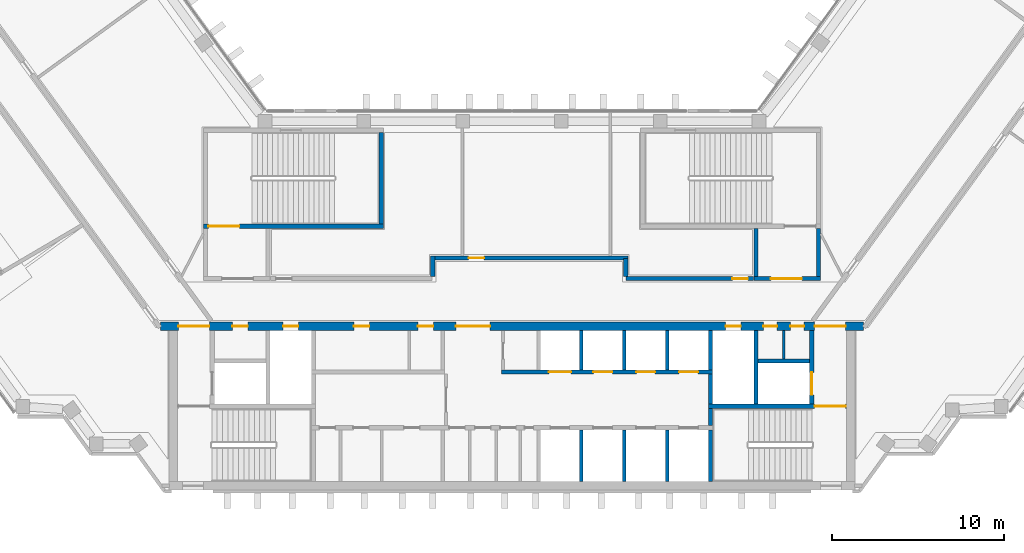
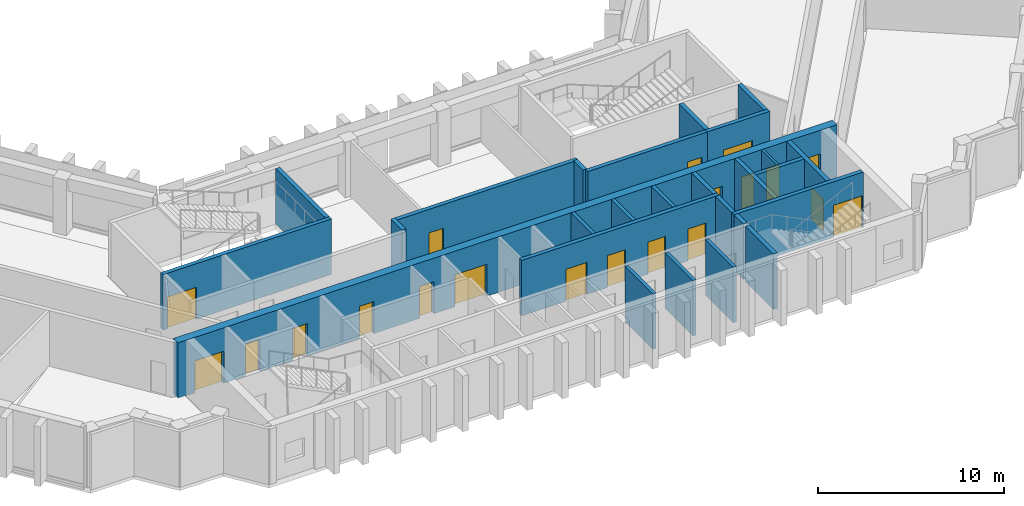
# One storey, part 8 of 13: 26 walls, 20 doors, 20 openings.
"""IFC4 building model written with IfcOpenShell, lengths in metres."""

from ifc_helpers import new_model, si_unit, direction, frame, frame_2d, origin, place, context, subcontext, project, spatial, rectangle, extrude, material, layer, layer_set, type_object, element, fill, save


model = new_model("IFC4")

# Units and contexts
model_context = context("Model", 3, precision=1e-05, world=origin(), true_north=direction((0.0, 1.0)))
body_context = subcontext(model_context, "Body", "Model", "MODEL_VIEW")
ifc_project = project(units=[si_unit("LENGTHUNIT", "METRE"), si_unit("AREAUNIT", "SQUARE_METRE"), si_unit("VOLUMEUNIT", "CUBIC_METRE"), si_unit("PLANEANGLEUNIT", "RADIAN"), si_unit("MASSUNIT", "GRAM", prefix="KILO")], contexts=[model_context])

# Site, building, storey
site_placement = place(None, origin())
site = spatial("IfcSite", under=ifc_project, at=site_placement, CompositionType="ELEMENT")
building_placement = place(site_placement, origin())
building = spatial("IfcBuilding", under=site, at=building_placement, Name="Quipu Civic Tower", CompositionType="ELEMENT")
storey_placement = place(building_placement, frame((0.0, 0.0, 156.0)))
storey = spatial("IfcBuildingStorey", under=building, at=storey_placement, Name="L36", CompositionType="ELEMENT", Elevation=156.0)

# Walls
ifc_material_1 = material(Name="Concrete C70/85", Category="concrete")
ifc_layer_1 = layer(ifc_material_1, 0.25)
ifc_layer_set_1 = layer_set([ifc_layer_1], Name="Concrete C70/85")
wall_type_1 = type_object("IfcWallType", Name="Core wall 250", PredefinedType="SHEAR", material=ifc_layer_set_1)
wall_1_placement = place(storey_placement, frame((11.574951171875, -10.5, 0.0), z_axis=(0.0, 0.0, 1.0), x_axis=(0.0, 1.0, 0.0)))
element("IfcWall", 1, at=wall_1_placement, inside=storey, type_object=wall_type_1, Name="Core wall", PredefinedType="SHEAR", context=body_context, shape_type="SweptSolid", body=[
    extrude(rectangle(XDim=3.0, YDim=0.25, at=frame_2d((1.5, 0.0))), origin(), (0.0, 0.0, 1.0), 3.64990234375),
])
wall_2_placement = place(storey_placement, frame((11.574951171875, -7.25, 0.0), z_axis=(0.0, 0.0, 1.0), x_axis=(0.0, 1.0, 0.0)))
element("IfcWall", 2, at=wall_2_placement, inside=storey, type_object=wall_type_1, Name="Core wall", PredefinedType="SHEAR", context=body_context, shape_type="SweptSolid", body=[
    extrude(rectangle(XDim=1.0, YDim=0.25, at=frame_2d((0.5, 0.0))), origin(), (0.0, 0.0, 1.0), 3.64990234375),
])

# Wall, opening, door
wall_3_placement = place(storey_placement, frame((19.5, -6.125, 0.0), z_axis=(0.0, 0.0, 1.0), x_axis=(-1.0, 0.0, 0.0)))
wall_3 = element("IfcWall", 3, at=wall_3_placement, inside=storey, type_object=wall_type_1, Name="Core wall", PredefinedType="SHEAR", context=body_context, shape_type="SweptSolid", body=[
    extrude(rectangle(XDim=8.050048828125, YDim=0.25, at=frame_2d((4.02490234375, 0.0))), origin(), (0.0, 0.0, 1.0), 3.64990234375),
])
opening_1_placement = place(wall_3_placement, frame((0.050048828125, 0.0, 0.0)))
opening_1 = element("IfcOpeningElement", 4, at=opening_1_placement, cuts=wall_3, Name="Opening CD-09", PredefinedType="OPENING", context=body_context, shape_type="SweptSolid", body=[
    extrude(rectangle(XDim=1.800048828125, YDim=2.10009765625, at=frame_2d((0.89990234375, 1.050048828125))), frame((0.0, 0.135009765625, 0.0), z_axis=(0.0, -1.0, 0.0), x_axis=(1.0, 0.0, 0.0)), (0.0, 0.0, 1.0), 0.27001953125),
])
ifc_material_2 = material(Name="Fire rated steel door", Category="steel")
door_type_1 = type_object("IfcDoorType", Name="Fire door FD90 double 1800 x 2100", OperationType="NOTDEFINED", PredefinedType="DOOR", material=ifc_material_2)
door_1_placement = place(opening_1_placement, origin())
door_1 = element("IfcDoor", 5, at=door_1_placement, inside=storey, type_object=door_type_1, Name="Door", OperationType="DOUBLE_DOOR_SINGLE_SWING", OverallHeight=2.10009765625, OverallWidth=1.800048828125, PredefinedType="DOOR", context=body_context, shape_type="SweptSolid", body=[
    extrude(rectangle(XDim=1.800048828125, YDim=2.10009765625, at=frame_2d((0.89990234375, 1.050048828125))), frame((0.0, 0.02490234375, 0.0), z_axis=(0.0, -1.0, 0.0), x_axis=(1.0, 0.0, 0.0)), (0.0, 0.0, 1.0), 0.050048828125),
])
fill(opening_1, door_1)

# Walls
wall_4_placement = place(storey_placement, frame((11.574951171875, -6.0, 0.0), z_axis=(0.0, 0.0, 1.0), x_axis=(0.0, 1.0, 0.0)))
element("IfcWall", 6, at=wall_4_placement, inside=storey, type_object=wall_type_1, Name="Core wall", PredefinedType="SHEAR", context=body_context, shape_type="SweptSolid", body=[
    extrude(rectangle(XDim=1.75, YDim=0.25, at=frame_2d((0.875, 0.0))), origin(), (0.0, 0.0, 1.0), 3.64990234375),
])
wall_5_placement = place(storey_placement, frame((14.22509765625, -6.0, 0.0), z_axis=(0.0, 0.0, 1.0), x_axis=(0.0, 1.0, 0.0)))
element("IfcWall", 7, at=wall_5_placement, inside=storey, type_object=wall_type_1, Name="Core wall", PredefinedType="SHEAR", context=body_context, shape_type="SweptSolid", body=[
    extrude(rectangle(XDim=4.300048828125, YDim=0.25, at=frame_2d((2.14990234375, 0.0))), origin(), (0.0, 0.0, 1.0), 3.64990234375),
])

# Wall, opening, door
wall_6_placement = place(storey_placement, frame((17.47509765625, -6.0, 0.0), z_axis=(0.0, 0.0, 1.0), x_axis=(0.0, 1.0, 0.0)))
wall_6 = element("IfcWall", 8, at=wall_6_placement, inside=storey, type_object=wall_type_1, Name="Core wall", PredefinedType="SHEAR", context=body_context, shape_type="SweptSolid", body=[
    extrude(rectangle(XDim=4.300048828125, YDim=0.25, at=frame_2d((2.14990234375, 0.0))), origin(), (0.0, 0.0, 1.0), 3.64990234375),
])
opening_2_placement = place(wall_6_placement, frame((0.550048828125, 0.0, 0.0)))
opening_2 = element("IfcOpeningElement", 9, at=opening_2_placement, cuts=wall_6, Name="Opening LD-FF2", PredefinedType="OPENING", context=body_context, shape_type="SweptSolid", body=[
    extrude(rectangle(XDim=1.300048828125, YDim=2.10009765625, at=frame_2d((0.64990234375, 1.050048828125))), frame((0.0, 0.135009765625, 0.0), z_axis=(0.0, -1.0, 0.0), x_axis=(1.0, 0.0, 0.0)), (0.0, 0.0, 1.0), 0.27001953125),
])
ifc_material_3 = material(Name="Stainless steel", Category="steel")
door_type_2 = type_object("IfcDoorType", Name="Lift landing door 1300 x 2100", OperationType="DOUBLE_DOOR_SLIDING", PredefinedType="DOOR", material=ifc_material_3)
door_2_placement = place(opening_2_placement, origin())
door_2 = element("IfcDoor", 10, at=door_2_placement, inside=storey, type_object=door_type_2, Name="Landing door FF2", OperationType="DOUBLE_DOOR_SLIDING", OverallHeight=2.10009765625, OverallWidth=1.300048828125, PredefinedType="DOOR", context=body_context, shape_type="SweptSolid", body=[
    extrude(rectangle(XDim=1.300048828125, YDim=2.10009765625, at=frame_2d((0.64990234375, 1.050048828125))), frame((0.0, 0.02490234375, 0.0), z_axis=(0.0, -1.0, 0.0), x_axis=(1.0, 0.0, 0.0)), (0.0, 0.0, 1.0), 0.050048828125),
])
fill(opening_2, door_2)

# Wall, openings, doors
wall_7_placement = place(storey_placement, frame((-0.60009765625, -4.125, 0.0), z_axis=(0.0, 0.0, 1.0), x_axis=(1.0, 0.0, 0.0)))
wall_7 = element("IfcWall", 11, at=wall_7_placement, inside=storey, type_object=wall_type_1, Name="Core wall", PredefinedType="SHEAR", context=body_context, shape_type="SweptSolid", body=[
    extrude(rectangle(XDim=12.300048828125, YDim=0.25, at=frame_2d((6.14990234375, 0.0))), origin(), (0.0, 0.0, 1.0), 3.64990234375),
])
opening_3_placement = place(wall_7_placement, frame((2.75, 0.0, 0.0)))
opening_3 = element("IfcOpeningElement", 12, at=opening_3_placement, cuts=wall_7, Name="Opening LD-FF3", PredefinedType="OPENING", context=body_context, shape_type="SweptSolid", body=[
    extrude(rectangle(XDim=1.300048828125, YDim=2.10009765625, at=frame_2d((0.64990234375, 1.050048828125))), frame((0.0, 0.135009765625, 0.0), z_axis=(0.0, -1.0, 0.0), x_axis=(1.0, 0.0, 0.0)), (0.0, 0.0, 1.0), 0.27001953125),
])
opening_4_placement = place(wall_7_placement, frame((5.35009765625, 0.0, 0.0)))
opening_4 = element("IfcOpeningElement", 13, at=opening_4_placement, cuts=wall_7, Name="Opening LD-ML5", PredefinedType="OPENING", context=body_context, shape_type="SweptSolid", body=[
    extrude(rectangle(XDim=1.10009765625, YDim=2.10009765625, at=frame_2d((0.550048828125, 1.050048828125))), frame((0.0, 0.135009765625, 0.0), z_axis=(0.0, -1.0, 0.0), x_axis=(1.0, 0.0, 0.0)), (0.0, 0.0, 1.0), 0.27001953125),
])
opening_5_placement = place(wall_7_placement, frame((7.85009765625, 0.0, 0.0)))
opening_5 = element("IfcOpeningElement", 14, at=opening_5_placement, cuts=wall_7, Name="Opening LD-ML6", PredefinedType="OPENING", context=body_context, shape_type="SweptSolid", body=[
    extrude(rectangle(XDim=1.10009765625, YDim=2.10009765625, at=frame_2d((0.550048828125, 1.050048828125))), frame((0.0, 0.135009765625, 0.0), z_axis=(0.0, -1.0, 0.0), x_axis=(1.0, 0.0, 0.0)), (0.0, 0.0, 1.0), 0.27001953125),
])
opening_6_placement = place(wall_7_placement, frame((10.35009765625, 0.0, 0.0)))
opening_6 = element("IfcOpeningElement", 15, at=opening_6_placement, cuts=wall_7, Name="Opening LD-ML7", PredefinedType="OPENING", context=body_context, shape_type="SweptSolid", body=[
    extrude(rectangle(XDim=1.10009765625, YDim=2.10009765625, at=frame_2d((0.550048828125, 1.050048828125))), frame((0.0, 0.135009765625, 0.0), z_axis=(0.0, -1.0, 0.0), x_axis=(1.0, 0.0, 0.0)), (0.0, 0.0, 1.0), 0.27001953125),
])
ifc_material_4 = material(Name="Stainless steel", Category="steel")
door_type_3 = type_object("IfcDoorType", Name="Lift landing door 1100 x 2100", OperationType="DOUBLE_DOOR_SLIDING", PredefinedType="DOOR", material=ifc_material_4)
door_3_placement = place(opening_4_placement, origin())
door_3 = element("IfcDoor", 16, at=door_3_placement, inside=storey, type_object=door_type_3, Name="Landing door ML5", OperationType="DOUBLE_DOOR_SLIDING", OverallHeight=2.10009765625, OverallWidth=1.10009765625, PredefinedType="DOOR", context=body_context, shape_type="SweptSolid", body=[
    extrude(rectangle(XDim=1.10009765625, YDim=2.10009765625, at=frame_2d((0.550048828125, 1.050048828125))), frame((0.0, 0.02490234375, 0.0), z_axis=(0.0, -1.0, 0.0), x_axis=(1.0, 0.0, 0.0)), (0.0, 0.0, 1.0), 0.050048828125),
])
fill(opening_4, door_3)
door_4_placement = place(opening_5_placement, origin())
door_4 = element("IfcDoor", 17, at=door_4_placement, inside=storey, type_object=door_type_3, Name="Landing door ML6", OperationType="DOUBLE_DOOR_SLIDING", OverallHeight=2.10009765625, OverallWidth=1.10009765625, PredefinedType="DOOR", context=body_context, shape_type="SweptSolid", body=[
    extrude(rectangle(XDim=1.10009765625, YDim=2.10009765625, at=frame_2d((0.550048828125, 1.050048828125))), frame((0.0, 0.02490234375, 0.0), z_axis=(0.0, -1.0, 0.0), x_axis=(1.0, 0.0, 0.0)), (0.0, 0.0, 1.0), 0.050048828125),
])
fill(opening_5, door_4)
door_5_placement = place(opening_6_placement, origin())
door_5 = element("IfcDoor", 18, at=door_5_placement, inside=storey, type_object=door_type_3, Name="Landing door ML7", OperationType="DOUBLE_DOOR_SLIDING", OverallHeight=2.10009765625, OverallWidth=1.10009765625, PredefinedType="DOOR", context=body_context, shape_type="SweptSolid", body=[
    extrude(rectangle(XDim=1.10009765625, YDim=2.10009765625, at=frame_2d((0.550048828125, 1.050048828125))), frame((0.0, 0.02490234375, 0.0), z_axis=(0.0, -1.0, 0.0), x_axis=(1.0, 0.0, 0.0)), (0.0, 0.0, 1.0), 0.050048828125),
])
fill(opening_6, door_5)
door_6_placement = place(opening_3_placement, origin())
door_6 = element("IfcDoor", 19, at=door_6_placement, inside=storey, type_object=door_type_2, Name="Landing door FF3", OperationType="DOUBLE_DOOR_SLIDING", OverallHeight=2.10009765625, OverallWidth=1.300048828125, PredefinedType="DOOR", context=body_context, shape_type="SweptSolid", body=[
    extrude(rectangle(XDim=1.300048828125, YDim=2.10009765625, at=frame_2d((0.64990234375, 1.050048828125))), frame((0.0, 0.02490234375, 0.0), z_axis=(0.0, -1.0, 0.0), x_axis=(1.0, 0.0, 0.0)), (0.0, 0.0, 1.0), 0.050048828125),
])
fill(opening_3, door_6)

# Walls
wall_8_placement = place(storey_placement, frame((11.574951171875, -4.0, 0.0), z_axis=(0.0, 0.0, 1.0), x_axis=(0.0, 1.0, 0.0)))
element("IfcWall", 20, at=wall_8_placement, inside=storey, type_object=wall_type_1, Name="Core wall", PredefinedType="SHEAR", context=body_context, shape_type="SweptSolid", body=[
    extrude(rectangle(XDim=2.300048828125, YDim=0.25, at=frame_2d((1.14990234375, 0.0))), origin(), (0.0, 0.0, 1.0), 3.64990234375),
])
wall_9_placement = place(storey_placement, frame((14.35009765625, -3.47509765625, 0.0), z_axis=(0.0, 0.0, 1.0), x_axis=(1.0, 0.0, 0.0)))
element("IfcWall", 21, at=wall_9_placement, inside=storey, type_object=wall_type_1, Name="Core wall", PredefinedType="SHEAR", context=body_context, shape_type="SweptSolid", body=[
    extrude(rectangle(XDim=3.0, YDim=0.25, at=frame_2d((1.5, 0.0))), origin(), (0.0, 0.0, 1.0), 3.64990234375),
])

# Wall, opening, door
wall_10_placement = place(storey_placement, frame((-18.0, 4.375, 0.0), z_axis=(0.0, 0.0, 1.0), x_axis=(1.0, 0.0, 0.0)))
wall_10 = element("IfcWall", 22, at=wall_10_placement, inside=storey, type_object=wall_type_1, Name="Core wall", PredefinedType="SHEAR", context=body_context, shape_type="SweptSolid", body=[
    extrude(rectangle(XDim=10.5, YDim=0.25, at=frame_2d((5.25, 0.0))), origin(), (0.0, 0.0, 1.0), 3.64990234375),
])
opening_7_placement = place(wall_10_placement, frame((0.300048828125, 0.0, 0.0)))
opening_7 = element("IfcOpeningElement", 23, at=opening_7_placement, cuts=wall_10, Name="Opening CD-23", PredefinedType="OPENING", context=body_context, shape_type="SweptSolid", body=[
    extrude(rectangle(XDim=1.800048828125, YDim=2.10009765625, at=frame_2d((0.89990234375, 1.050048828125))), frame((0.0, 0.135009765625, 0.0), z_axis=(0.0, -1.0, 0.0), x_axis=(1.0, 0.0, 0.0)), (0.0, 0.0, 1.0), 0.27001953125),
])
door_7_placement = place(opening_7_placement, origin())
door_7 = element("IfcDoor", 24, at=door_7_placement, inside=storey, type_object=door_type_1, Name="Door", OperationType="DOUBLE_DOOR_SINGLE_SWING", OverallHeight=2.10009765625, OverallWidth=1.800048828125, PredefinedType="DOOR", context=body_context, shape_type="SweptSolid", body=[
    extrude(rectangle(XDim=1.800048828125, YDim=2.10009765625, at=frame_2d((0.89990234375, 1.050048828125))), frame((0.0, 0.02490234375, 0.0), z_axis=(0.0, -1.0, 0.0), x_axis=(1.0, 0.0, 0.0)), (0.0, 0.0, 1.0), 0.050048828125),
])
fill(opening_7, door_7)

# Wall
wall_11_placement = place(storey_placement, frame((-7.625, 4.5, 0.0), z_axis=(0.0, 0.0, 1.0), x_axis=(0.0, 1.0, 0.0)))
element("IfcWall", 25, at=wall_11_placement, inside=storey, type_object=wall_type_1, Name="Core wall", PredefinedType="SHEAR", context=body_context, shape_type="SweptSolid", body=[
    extrude(rectangle(XDim=5.35009765625, YDim=0.25, at=frame_2d((2.675048828125, 0.0))), origin(), (0.0, 0.0, 1.0), 3.64990234375),
])

# Wall, opening, door
wall_12_placement = place(storey_placement, frame((14.10009765625, 1.324951171875, 0.0), z_axis=(0.0, 0.0, 1.0), x_axis=(1.0, 0.0, 0.0)))
wall_12 = element("IfcWall", 26, at=wall_12_placement, inside=storey, type_object=wall_type_1, Name="Core wall", PredefinedType="SHEAR", context=body_context, shape_type="SweptSolid", body=[
    extrude(rectangle(XDim=3.89990234375, YDim=0.25, at=frame_2d((1.949951171875, 0.0))), origin(), (0.0, 0.0, 1.0), 3.64990234375),
])
opening_8_placement = place(wall_12_placement, frame((1.0, 0.0, 0.0)))
opening_8 = element("IfcOpeningElement", 27, at=opening_8_placement, cuts=wall_12, Name="Opening CD-24", PredefinedType="OPENING", context=body_context, shape_type="SweptSolid", body=[
    extrude(rectangle(XDim=1.800048828125, YDim=2.10009765625, at=frame_2d((0.89990234375, 1.050048828125))), frame((0.0, 0.135009765625, 0.0), z_axis=(0.0, -1.0, 0.0), x_axis=(1.0, 0.0, 0.0)), (0.0, 0.0, 1.0), 0.27001953125),
])
door_8_placement = place(opening_8_placement, origin())
door_8 = element("IfcDoor", 28, at=door_8_placement, inside=storey, type_object=door_type_1, Name="Lobby door", OperationType="DOUBLE_DOOR_SINGLE_SWING", OverallHeight=2.10009765625, OverallWidth=1.800048828125, PredefinedType="DOOR", context=body_context, shape_type="SweptSolid", body=[
    extrude(rectangle(XDim=1.800048828125, YDim=2.10009765625, at=frame_2d((0.89990234375, 1.050048828125))), frame((0.0, 0.02490234375, 0.0), z_axis=(0.0, -1.0, 0.0), x_axis=(1.0, 0.0, 0.0)), (0.0, 0.0, 1.0), 0.050048828125),
])
fill(opening_8, door_8)

# Walls
for number, where, z_axis, x_axis, name in (
    (29, (14.22509765625, 1.449951171875, 0.0), (0.0, 0.0, 1.0), (0.0, 1.0, 0.0), "Core wall"),
    (30, (17.875, 1.449951171875, 0.0), (0.0, 0.0, 1.0), (0.0, 1.0, 0.0), "Core wall"),
):
    element("IfcWall", number, at=place(storey_placement, frame(where, z_axis=z_axis, x_axis=x_axis)), inside=storey, type_object=wall_type_1, Name=name, PredefinedType="SHEAR", context=body_context, shape_type="SweptSolid", body=[
        extrude(rectangle(XDim=2.800048828125, YDim=0.25, at=frame_2d((1.39990234375, 0.0))), origin(), (0.0, 0.0, 1.0), 3.64990234375),
    ])

# Wall, openings, doors
ifc_material_5 = material(Name="Concrete C70/85", Category="concrete")
ifc_layer_2 = layer(ifc_material_5, 0.5)
ifc_layer_set_2 = layer_set([ifc_layer_2], Name="Concrete C70/85")
wall_type_2 = type_object("IfcWallType", Name="Core wall 500", PredefinedType="SHEAR", material=ifc_layer_set_2)
wall_13_placement = place(storey_placement, frame((20.489990234375, -1.449951171875, 0.0), z_axis=(0.0, 0.0, 1.0), x_axis=(-1.0, 0.0, 0.0)))
wall_13 = element("IfcWall", 31, at=wall_13_placement, inside=storey, type_object=wall_type_2, Name="Core wall", PredefinedType="SHEAR", context=body_context, shape_type="SweptSolid", body=[
    extrude(rectangle(XDim=40.97998046875, YDim=0.5, at=frame_2d((20.489990234375, 0.0))), origin(), (0.0, 0.0, 1.0), 3.64990234375),
])
opening_9_placement = place(wall_13_placement, frame((38.139892578125, 0.0, 0.0)))
opening_9 = element("IfcOpeningElement", 32, at=opening_9_placement, cuts=wall_13, Name="Opening CD-12", PredefinedType="OPENING", context=body_context, shape_type="SweptSolid", body=[
    extrude(rectangle(XDim=1.800048828125, YDim=2.10009765625, at=frame_2d((0.89990234375, 1.050048828125))), frame((0.0, 0.260009765625, 0.0), z_axis=(0.0, -1.0, 0.0), x_axis=(1.0, 0.0, 0.0)), (0.0, 0.0, 1.0), 0.52001953125),
])
opening_10_placement = place(wall_13_placement, frame((35.889892578125, 0.0, 0.0)))
opening_10 = element("IfcOpeningElement", 33, at=opening_10_placement, cuts=wall_13, Name="Opening CD-13", PredefinedType="OPENING", context=body_context, shape_type="SweptSolid", body=[
    extrude(rectangle(XDim=0.89990234375, YDim=2.10009765625, at=frame_2d((0.449951171875, 1.050048828125))), frame((0.0, 0.260009765625, 0.0), z_axis=(0.0, -1.0, 0.0), x_axis=(1.0, 0.0, 0.0)), (0.0, 0.0, 1.0), 0.52001953125),
])
opening_11_placement = place(wall_13_placement, frame((32.93994140625, 0.0, 0.0)))
opening_11 = element("IfcOpeningElement", 34, at=opening_11_placement, cuts=wall_13, Name="Opening CD-14", PredefinedType="OPENING", context=body_context, shape_type="SweptSolid", body=[
    extrude(rectangle(XDim=0.89990234375, YDim=2.10009765625, at=frame_2d((0.449951171875, 1.050048828125))), frame((0.0, 0.260009765625, 0.0), z_axis=(0.0, -1.0, 0.0), x_axis=(1.0, 0.0, 0.0)), (0.0, 0.0, 1.0), 0.52001953125),
])
opening_12_placement = place(wall_13_placement, frame((28.802490234375, 0.0, 0.0)))
opening_12 = element("IfcOpeningElement", 35, at=opening_12_placement, cuts=wall_13, Name="Opening CD-15", PredefinedType="OPENING", context=body_context, shape_type="SweptSolid", body=[
    extrude(rectangle(XDim=0.89990234375, YDim=2.10009765625, at=frame_2d((0.449951171875, 1.050048828125))), frame((0.0, 0.260009765625, 0.0), z_axis=(0.0, -1.0, 0.0), x_axis=(1.0, 0.0, 0.0)), (0.0, 0.0, 1.0), 0.52001953125),
])
opening_13_placement = place(wall_13_placement, frame((25.077392578125, 0.0, 0.0)))
opening_13 = element("IfcOpeningElement", 36, at=opening_13_placement, cuts=wall_13, Name="Opening CD-16", PredefinedType="OPENING", context=body_context, shape_type="SweptSolid", body=[
    extrude(rectangle(XDim=0.89990234375, YDim=2.10009765625, at=frame_2d((0.449951171875, 1.050048828125))), frame((0.0, 0.260009765625, 0.0), z_axis=(0.0, -1.0, 0.0), x_axis=(1.0, 0.0, 0.0)), (0.0, 0.0, 1.0), 0.52001953125),
])
opening_14_placement = place(wall_13_placement, frame((21.764892578125, 0.0, 0.0)))
opening_14 = element("IfcOpeningElement", 37, at=opening_14_placement, cuts=wall_13, Name="Opening CD-17", PredefinedType="OPENING", context=body_context, shape_type="SweptSolid", body=[
    extrude(rectangle(XDim=2.0, YDim=2.10009765625, at=frame_2d((1.0, 1.050048828125))), frame((0.0, 0.260009765625, 0.0), z_axis=(0.0, -1.0, 0.0), x_axis=(1.0, 0.0, 0.0)), (0.0, 0.0, 1.0), 0.52001953125),
])
opening_15_placement = place(wall_13_placement, frame((7.139892578125, 0.0, 0.0)))
opening_15 = element("IfcOpeningElement", 38, at=opening_15_placement, cuts=wall_13, Name="Opening CD-18", PredefinedType="OPENING", context=body_context, shape_type="SweptSolid", body=[
    extrude(rectangle(XDim=0.89990234375, YDim=2.10009765625, at=frame_2d((0.449951171875, 1.050048828125))), frame((0.0, 0.260009765625, 0.0), z_axis=(0.0, -1.0, 0.0), x_axis=(1.0, 0.0, 0.0)), (0.0, 0.0, 1.0), 0.52001953125),
])
opening_16_placement = place(wall_13_placement, frame((5.027587890625, 0.0, 0.0)))
opening_16 = element("IfcOpeningElement", 39, at=opening_16_placement, cuts=wall_13, Name="Opening CD-19", PredefinedType="OPENING", context=body_context, shape_type="SweptSolid", body=[
    extrude(rectangle(XDim=0.800048828125, YDim=2.10009765625, at=frame_2d((0.39990234375, 1.050048828125))), frame((0.0, 0.260009765625, 0.0), z_axis=(0.0, -1.0, 0.0), x_axis=(1.0, 0.0, 0.0)), (0.0, 0.0, 1.0), 0.52001953125),
])
opening_17_placement = place(wall_13_placement, frame((3.452392578125, 0.0, 0.0)))
opening_17 = element("IfcOpeningElement", 40, at=opening_17_placement, cuts=wall_13, Name="Opening CD-20", PredefinedType="OPENING", context=body_context, shape_type="SweptSolid", body=[
    extrude(rectangle(XDim=0.800048828125, YDim=2.10009765625, at=frame_2d((0.39990234375, 1.050048828125))), frame((0.0, 0.260009765625, 0.0), z_axis=(0.0, -1.0, 0.0), x_axis=(1.0, 0.0, 0.0)), (0.0, 0.0, 1.0), 0.52001953125),
])
opening_18_placement = place(wall_13_placement, frame((1.0400390625, 0.0, 0.0)))
opening_18 = element("IfcOpeningElement", 41, at=opening_18_placement, cuts=wall_13, Name="Opening CD-21", PredefinedType="OPENING", context=body_context, shape_type="SweptSolid", body=[
    extrude(rectangle(XDim=1.800048828125, YDim=2.10009765625, at=frame_2d((0.89990234375, 1.050048828125))), frame((0.0, 0.260009765625, 0.0), z_axis=(0.0, -1.0, 0.0), x_axis=(1.0, 0.0, 0.0)), (0.0, 0.0, 1.0), 0.52001953125),
])
ifc_material_6 = material(Name="Fire rated steel door", Category="steel")
door_type_4 = type_object("IfcDoorType", Name="Fire door FD60 800 x 2100", OperationType="NOTDEFINED", PredefinedType="DOOR", material=ifc_material_6)
door_9_placement = place(opening_16_placement, origin())
door_9 = element("IfcDoor", 42, at=door_9_placement, inside=storey, type_object=door_type_4, Name="Door", OperationType="SINGLE_SWING_LEFT", OverallHeight=2.10009765625, OverallWidth=0.800048828125, PredefinedType="DOOR", context=body_context, shape_type="SweptSolid", body=[
    extrude(rectangle(XDim=0.800048828125, YDim=2.10009765625, at=frame_2d((0.39990234375, 1.050048828125))), frame((0.0, 0.02490234375, 0.0), z_axis=(0.0, -1.0, 0.0), x_axis=(1.0, 0.0, 0.0)), (0.0, 0.0, 1.0), 0.050048828125),
])
fill(opening_16, door_9)
door_10_placement = place(opening_17_placement, origin())
door_10 = element("IfcDoor", 43, at=door_10_placement, inside=storey, type_object=door_type_4, Name="Door", OperationType="SINGLE_SWING_LEFT", OverallHeight=2.10009765625, OverallWidth=0.800048828125, PredefinedType="DOOR", context=body_context, shape_type="SweptSolid", body=[
    extrude(rectangle(XDim=0.800048828125, YDim=2.10009765625, at=frame_2d((0.39990234375, 1.050048828125))), frame((0.0, 0.02490234375, 0.0), z_axis=(0.0, -1.0, 0.0), x_axis=(1.0, 0.0, 0.0)), (0.0, 0.0, 1.0), 0.050048828125),
])
fill(opening_17, door_10)
ifc_material_7 = material(Name="Fire rated steel door", Category="steel")
door_type_5 = type_object("IfcDoorType", Name="Fire door FD60 900 x 2100", OperationType="NOTDEFINED", PredefinedType="DOOR", material=ifc_material_7)
door_11_placement = place(opening_10_placement, origin())
door_11 = element("IfcDoor", 44, at=door_11_placement, inside=storey, type_object=door_type_5, Name="Door", OperationType="SINGLE_SWING_RIGHT", OverallHeight=2.10009765625, OverallWidth=0.89990234375, PredefinedType="DOOR", context=body_context, shape_type="SweptSolid", body=[
    extrude(rectangle(XDim=0.89990234375, YDim=2.10009765625, at=frame_2d((0.449951171875, 1.050048828125))), frame((0.0, 0.02490234375, 0.0), z_axis=(0.0, -1.0, 0.0), x_axis=(1.0, 0.0, 0.0)), (0.0, 0.0, 1.0), 0.050048828125),
])
fill(opening_10, door_11)
door_12_placement = place(opening_11_placement, origin())
door_12 = element("IfcDoor", 45, at=door_12_placement, inside=storey, type_object=door_type_5, Name="Riser door", OperationType="SINGLE_SWING_RIGHT", OverallHeight=2.10009765625, OverallWidth=0.89990234375, PredefinedType="DOOR", context=body_context, shape_type="SweptSolid", body=[
    extrude(rectangle(XDim=0.89990234375, YDim=2.10009765625, at=frame_2d((0.449951171875, 1.050048828125))), frame((0.0, 0.02490234375, 0.0), z_axis=(0.0, -1.0, 0.0), x_axis=(1.0, 0.0, 0.0)), (0.0, 0.0, 1.0), 0.050048828125),
])
fill(opening_11, door_12)
door_13_placement = place(opening_12_placement, origin())
door_13 = element("IfcDoor", 46, at=door_13_placement, inside=storey, type_object=door_type_5, Name="Door", OperationType="SINGLE_SWING_RIGHT", OverallHeight=2.10009765625, OverallWidth=0.89990234375, PredefinedType="DOOR", context=body_context, shape_type="SweptSolid", body=[
    extrude(rectangle(XDim=0.89990234375, YDim=2.10009765625, at=frame_2d((0.449951171875, 1.050048828125))), frame((0.0, 0.02490234375, 0.0), z_axis=(0.0, -1.0, 0.0), x_axis=(1.0, 0.0, 0.0)), (0.0, 0.0, 1.0), 0.050048828125),
])
fill(opening_12, door_13)
door_14_placement = place(opening_13_placement, origin())
door_14 = element("IfcDoor", 47, at=door_14_placement, inside=storey, type_object=door_type_5, Name="Door", OperationType="SINGLE_SWING_RIGHT", OverallHeight=2.10009765625, OverallWidth=0.89990234375, PredefinedType="DOOR", context=body_context, shape_type="SweptSolid", body=[
    extrude(rectangle(XDim=0.89990234375, YDim=2.10009765625, at=frame_2d((0.449951171875, 1.050048828125))), frame((0.0, 0.02490234375, 0.0), z_axis=(0.0, -1.0, 0.0), x_axis=(1.0, 0.0, 0.0)), (0.0, 0.0, 1.0), 0.050048828125),
])
fill(opening_13, door_14)
door_15_placement = place(opening_15_placement, origin())
door_15 = element("IfcDoor", 48, at=door_15_placement, inside=storey, type_object=door_type_5, Name="Riser door", OperationType="SINGLE_SWING_LEFT", OverallHeight=2.10009765625, OverallWidth=0.89990234375, PredefinedType="DOOR", context=body_context, shape_type="SweptSolid", body=[
    extrude(rectangle(XDim=0.89990234375, YDim=2.10009765625, at=frame_2d((0.449951171875, 1.050048828125))), frame((0.0, 0.02490234375, 0.0), z_axis=(0.0, -1.0, 0.0), x_axis=(1.0, 0.0, 0.0)), (0.0, 0.0, 1.0), 0.050048828125),
])
fill(opening_15, door_15)
door_16_placement = place(opening_9_placement, origin())
door_16 = element("IfcDoor", 49, at=door_16_placement, inside=storey, type_object=door_type_1, Name="Lobby door", OperationType="DOUBLE_DOOR_SINGLE_SWING", OverallHeight=2.10009765625, OverallWidth=1.800048828125, PredefinedType="DOOR", context=body_context, shape_type="SweptSolid", body=[
    extrude(rectangle(XDim=1.800048828125, YDim=2.10009765625, at=frame_2d((0.89990234375, 1.050048828125))), frame((0.0, 0.02490234375, 0.0), z_axis=(0.0, -1.0, 0.0), x_axis=(1.0, 0.0, 0.0)), (0.0, 0.0, 1.0), 0.050048828125),
])
fill(opening_9, door_16)
door_17_placement = place(opening_18_placement, origin())
door_17 = element("IfcDoor", 50, at=door_17_placement, inside=storey, type_object=door_type_1, Name="Lobby door", OperationType="DOUBLE_DOOR_SINGLE_SWING", OverallHeight=2.10009765625, OverallWidth=1.800048828125, PredefinedType="DOOR", context=body_context, shape_type="SweptSolid", body=[
    extrude(rectangle(XDim=1.800048828125, YDim=2.10009765625, at=frame_2d((0.89990234375, 1.050048828125))), frame((0.0, 0.02490234375, 0.0), z_axis=(0.0, -1.0, 0.0), x_axis=(1.0, 0.0, 0.0)), (0.0, 0.0, 1.0), 0.050048828125),
])
fill(opening_18, door_17)
ifc_material_8 = material(Name="Fire rated steel door", Category="steel")
door_type_6 = type_object("IfcDoorType", Name="Fire door FD90 double 2000 x 2100", OperationType="NOTDEFINED", PredefinedType="DOOR", material=ifc_material_8)
door_18_placement = place(opening_14_placement, origin())
door_18 = element("IfcDoor", 51, at=door_18_placement, inside=storey, type_object=door_type_6, Name="Lobby door", OperationType="DOUBLE_DOOR_SINGLE_SWING", OverallHeight=2.10009765625, OverallWidth=2.0, PredefinedType="DOOR", context=body_context, shape_type="SweptSolid", body=[
    extrude(rectangle(XDim=2.0, YDim=2.10009765625, at=frame_2d((1.0, 1.050048828125))), frame((0.0, 0.02490234375, 0.0), z_axis=(0.0, -1.0, 0.0), x_axis=(1.0, 0.0, 0.0)), (0.0, 0.0, 1.0), 0.050048828125),
])
fill(opening_14, door_18)

# Wall, opening, door
ifc_material_9 = material(Name="Concrete C50/60", Category="concrete")
ifc_layer_3 = layer(ifc_material_9, 0.25)
ifc_layer_set_3 = layer_set([ifc_layer_3], Name="Concrete C50/60")
wall_type_3 = type_object("IfcWallType", Name="Corridor wall 250 concrete", PredefinedType="SOLIDWALL", material=ifc_layer_set_3)
wall_14_placement = place(storey_placement, frame((6.65869140625, 1.324951171875, 0.0), z_axis=(0.0, 0.0, 1.0), x_axis=(1.0, 0.0, 0.0)))
wall_14 = element("IfcWall", 52, at=wall_14_placement, inside=storey, type_object=wall_type_3, Name="Corridor wall C01", PredefinedType="SOLIDWALL", context=body_context, shape_type="SweptSolid", body=[
    extrude(rectangle(XDim=7.431396484375, YDim=0.25, at=frame_2d((3.7158203125, 0.0))), origin(), (0.0, 0.0, 1.0), 3.64990234375),
])
opening_19_placement = place(wall_14_placement, frame((6.19140625, 0.0, 0.0)))
opening_19 = element("IfcOpeningElement", 53, at=opening_19_placement, cuts=wall_14, Name="Opening D009", PredefinedType="OPENING", context=body_context, shape_type="SweptSolid", body=[
    extrude(rectangle(XDim=0.89990234375, YDim=2.10009765625, at=frame_2d((0.449951171875, 1.050048828125))), frame((0.0, 0.135009765625, 0.0), z_axis=(0.0, -1.0, 0.0), x_axis=(1.0, 0.0, 0.0)), (0.0, 0.0, 1.0), 0.27001953125),
])
ifc_material_10 = material(Name="Fire rated timber door set with metal frame", Category="wood")
door_type_7 = type_object("IfcDoorType", Name="Single door 900 x 2100 FD60", OperationType="NOTDEFINED", PredefinedType="DOOR", material=ifc_material_10)
door_19_placement = place(opening_19_placement, origin())
door_19 = element("IfcDoor", 54, at=door_19_placement, inside=storey, type_object=door_type_7, Name="Door D009", OperationType="SINGLE_SWING_RIGHT", OverallHeight=2.10009765625, OverallWidth=0.89990234375, PredefinedType="DOOR", context=body_context, shape_type="SweptSolid", body=[
    extrude(rectangle(XDim=0.89990234375, YDim=2.10009765625, at=frame_2d((0.449951171875, 1.050048828125))), frame((0.0, 0.02490234375, 0.0), z_axis=(0.0, -1.0, 0.0), x_axis=(1.0, 0.0, 0.0)), (0.0, 0.0, 1.0), 0.050048828125),
])
fill(opening_19, door_19)

# Wall
wall_15_placement = place(storey_placement, frame((-4.625, 1.45361328125, 0.0), z_axis=(0.0, 0.0, 1.0), x_axis=(0.0, 1.0, 0.0)))
element("IfcWall", 55, at=wall_15_placement, inside=storey, type_object=wall_type_3, Name="Corridor wall C08", PredefinedType="SOLIDWALL", context=body_context, shape_type="SweptSolid", body=[
    extrude(rectangle(XDim=1.1962890625, YDim=0.25, at=frame_2d((0.59814453125, 0.0))), origin(), (0.0, 0.0, 1.0), 3.64990234375),
])

# Wall, opening, door
wall_16_placement = place(storey_placement, frame((-4.5, 2.52490234375, 0.0), z_axis=(0.0, 0.0, 1.0), x_axis=(1.0, 0.0, 0.0)))
wall_16 = element("IfcWall", 56, at=wall_16_placement, inside=storey, type_object=wall_type_3, Name="Corridor wall C09", PredefinedType="SOLIDWALL", context=body_context, shape_type="SweptSolid", body=[
    extrude(rectangle(XDim=11.25, YDim=0.25, at=frame_2d((5.625, 0.0))), origin(), (0.0, 0.0, 1.0), 3.64990234375),
])
opening_20_placement = place(wall_16_placement, frame((1.970947265625, 0.0, 0.0)))
opening_20 = element("IfcOpeningElement", 57, at=opening_20_placement, cuts=wall_16, Name="Opening D008", PredefinedType="OPENING", context=body_context, shape_type="SweptSolid", body=[
    extrude(rectangle(XDim=0.89990234375, YDim=2.10009765625, at=frame_2d((0.449951171875, 1.050048828125))), frame((0.0, 0.135009765625, 0.0), z_axis=(0.0, -1.0, 0.0), x_axis=(1.0, 0.0, 0.0)), (0.0, 0.0, 1.0), 0.27001953125),
])
door_20_placement = place(opening_20_placement, origin())
door_20 = element("IfcDoor", 58, at=door_20_placement, inside=storey, type_object=door_type_7, Name="Door D008", OperationType="SINGLE_SWING_LEFT", OverallHeight=2.10009765625, OverallWidth=0.89990234375, PredefinedType="DOOR", context=body_context, shape_type="SweptSolid", body=[
    extrude(rectangle(XDim=0.89990234375, YDim=2.10009765625, at=frame_2d((0.449951171875, 1.050048828125))), frame((0.0, 0.02490234375, 0.0), z_axis=(0.0, -1.0, 0.0), x_axis=(1.0, 0.0, 0.0)), (0.0, 0.0, 1.0), 0.050048828125),
])
fill(opening_20, door_20)

# Walls
wall_17_placement = place(storey_placement, frame((6.625, 2.483642578125, 0.0), z_axis=(0.0, 0.0, 1.0), x_axis=(0.0, -1.0, 0.0)))
element("IfcWall", 59, at=wall_17_placement, inside=storey, type_object=wall_type_3, Name="Corridor wall C10", PredefinedType="SOLIDWALL", context=body_context, shape_type="SweptSolid", body=[
    extrude(rectangle(XDim=1.030029296875, YDim=0.25, at=frame_2d((0.51513671875, 0.0))), origin(), (0.0, 0.0, 1.0), 3.64990234375),
])
ifc_material_11 = material(Name="Gypsum board partition")
ifc_layer_4 = layer(ifc_material_11, 0.14990234375)
ifc_layer_set_4 = layer_set([ifc_layer_4], Name="Gypsum board partition")
wall_type_4 = type_object("IfcWallType", Name="Partition 150", PredefinedType="PARTITIONING", material=ifc_layer_set_4)
wall_18_placement = place(storey_placement, frame((15.85009765625, -3.35009765625, 0.0), z_axis=(0.0, 0.0, 1.0), x_axis=(0.0, 1.0, 0.0)))
element("IfcWall", 60, at=wall_18_placement, inside=storey, type_object=wall_type_4, Name="Partition", PredefinedType="PARTITIONING", context=body_context, shape_type="SweptSolid", body=[
    extrude(rectangle(XDim=1.650146484375, YDim=0.14990234375, at=frame_2d((0.8251953125, 0.0))), origin(), (0.0, 0.0, 1.0), 3.64990234375),
])
ifc_material_12 = material(Name="Concrete C40/50", Category="concrete")
ifc_layer_5 = layer(ifc_material_12, 0.199951171875)
ifc_layer_set_5 = layer_set([ifc_layer_5], Name="Concrete C40/50")
wall_type_5 = type_object("IfcWallType", Name="Shaft wall 200", PredefinedType="SOLIDWALL", material=ifc_layer_set_5)
for number, where, z_axis, x_axis, name in (
    (61, (4.050048828125, -10.5, 0.0), (0.0, 0.0, 1.0), (0.0, 1.0, 0.0), "Shaft wall"),
    (62, (6.550048828125, -10.5, 0.0), (0.0, 0.0, 1.0), (0.0, 1.0, 0.0), "Shaft wall"),
    (63, (9.050048828125, -10.5, 0.0), (0.0, 0.0, 1.0), (0.0, 1.0, 0.0), "Shaft wall"),
):
    element("IfcWall", number, at=place(storey_placement, frame(where, z_axis=z_axis, x_axis=x_axis)), inside=storey, type_object=wall_type_5, Name=name, PredefinedType="SOLIDWALL", context=body_context, shape_type="SweptSolid", body=[
        extrude(rectangle(XDim=3.0, YDim=0.199951171875, at=frame_2d((1.5, 0.0))), origin(), (0.0, 0.0, 1.0), 3.64990234375),
    ])
for number, where, z_axis, x_axis, name in (
    (64, (4.050048828125, -4.0, 0.0), (0.0, 0.0, 1.0), (0.0, 1.0, 0.0), "Shaft wall"),
    (65, (6.550048828125, -4.0, 0.0), (0.0, 0.0, 1.0), (0.0, 1.0, 0.0), "Shaft wall"),
    (66, (9.050048828125, -4.0, 0.0), (0.0, 0.0, 1.0), (0.0, 1.0, 0.0), "Shaft wall"),
):
    element("IfcWall", number, at=place(storey_placement, frame(where, z_axis=z_axis, x_axis=x_axis)), inside=storey, type_object=wall_type_5, Name=name, PredefinedType="SOLIDWALL", context=body_context, shape_type="SweptSolid", body=[
        extrude(rectangle(XDim=2.300048828125, YDim=0.199951171875, at=frame_2d((1.14990234375, 0.0))), origin(), (0.0, 0.0, 1.0), 3.64990234375),
    ])

save(model, "model.ifc")
